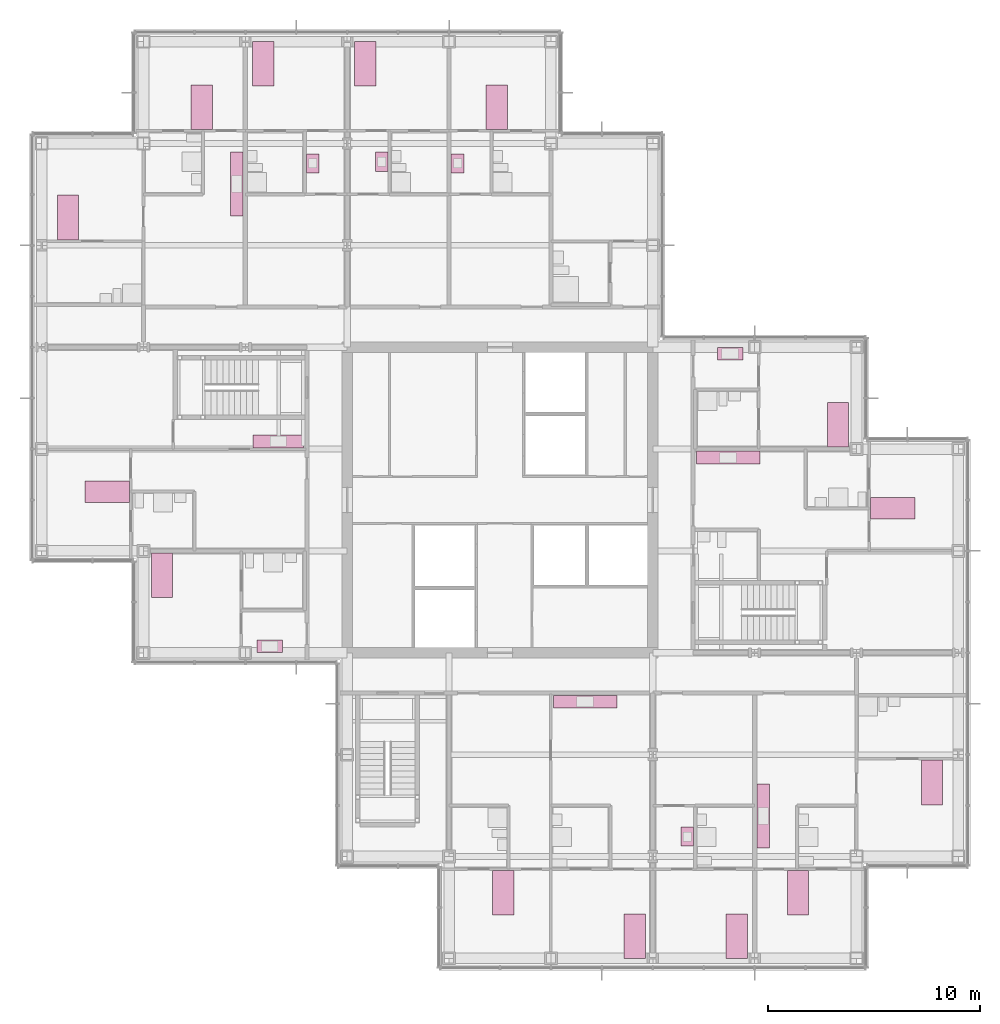
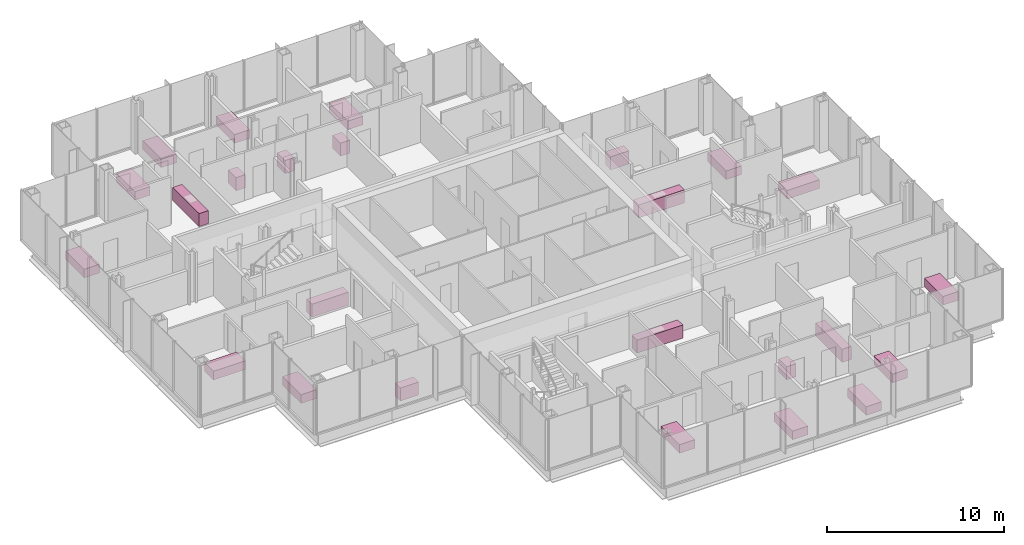
# One storey, part 20 of 20: 25 furniture elements.
"""IFC4 building model written with IfcOpenShell, lengths in metres."""

import ifcopenshell
import ifcopenshell.guid

model = None  # the IFC model being written
_history = None  # IfcOwnerHistory: only IFC2X3 demands one
_inside = {}  # id of a spatial element -> (the spatial element, [elements in it])
_under = {}  # id of a project, library or spatial element -> (it, [spatial elements below it])
_declared = {}  # id of a project -> (the project, [libraries it declares])
_typed = {}  # id of a type object -> (the type object, [elements of that type])
_made_of = {}  # id of a material, layer set ... -> (it, [elements and type objects made of it])


def new_model(schema):
    """Start an empty IFC model of exactly this schema.

    Asked for "IFC4X3", IfcOpenShell would pick the latest addendum, in which some entities
    have other attributes; the version numbers below select the first issue.
    IFC2X3 requires an IfcOwnerHistory on every rooted entity: one is made here for all.
    """
    global model, _history
    if schema == "IFC4X3":
        model = ifcopenshell.file(schema_version=(4, 3, 0, 0))
    else:
        model = ifcopenshell.file(schema=schema)
    _inside.clear()
    _under.clear()
    _declared.clear()
    _typed.clear()
    _made_of.clear()
    _history = None
    if model.schema == "IFC2X3":
        org = make("IfcOrganization", Name="unknown")
        user = make(
            "IfcPersonAndOrganization",
            ThePerson=make("IfcPerson", FamilyName="unknown"),
            TheOrganization=org,
        )
        app = make(
            "IfcApplication",
            ApplicationDeveloper=org,
            Version="unknown",
            ApplicationFullName="unknown",
            ApplicationIdentifier="unknown",
        )
        _history = make(
            "IfcOwnerHistory",
            OwningUser=user,
            OwningApplication=app,
            ChangeAction="ADDED",
            CreationDate=0,
        )
    return model


def make(cls, **values):
    """One entity of the class cls with the attributes given. An attribute that is None is left unset."""
    return model.create_entity(
        cls, **{name: value for name, value in values.items() if value is not None}
    )


def rooted(cls, **values):
    """An entity with a GlobalId (a new one), such as an element, a storey or a relation."""
    return make(cls, GlobalId=ifcopenshell.guid.new(), OwnerHistory=_history, **values)


def si_unit(unit_type, name, prefix=None):
    """IfcSIUnit, for example si_unit("LENGTHUNIT", "METRE", prefix="MILLI")."""
    return make("IfcSIUnit", UnitType=unit_type, Prefix=prefix, Name=name)


def assignment(units):
    """IfcUnitAssignment: the units of a project."""
    return None if units is None else make("IfcUnitAssignment", Units=units)


def point(xyz):
    """IfcCartesianPoint."""
    return None if xyz is None else make("IfcCartesianPoint", Coordinates=xyz)


def direction(xyz):
    """IfcDirection."""
    return None if xyz is None else make("IfcDirection", DirectionRatios=xyz)


def frame(location, z_axis=None, x_axis=None):
    """IfcAxis2Placement3D, a coordinate frame: its origin and axes. An axis left out is left unset."""
    return make(
        "IfcAxis2Placement3D",
        Location=point(location),
        Axis=direction(z_axis),
        RefDirection=direction(x_axis),
    )


def frame_2d(location, x_axis=None):
    """IfcAxis2Placement2D, a coordinate frame in the plane: its origin and x axis."""
    return make(
        "IfcAxis2Placement2D", Location=point(location), RefDirection=direction(x_axis)
    )


def origin():
    """The frame at (0, 0, 0) with its axes left unset."""
    return frame((0.0, 0.0, 0.0))


def origin_2d():
    """The frame at (0, 0) in the plane with its x axis left unset."""
    return frame_2d((0.0, 0.0))


def place(relative_to, where):
    """IfcLocalPlacement: puts the frame where relative to a parent placement (None: the world)."""
    return make(
        "IfcLocalPlacement", PlacementRelTo=relative_to, RelativePlacement=where
    )


def context(
    kind, dimensions, precision=None, world=None, true_north=None, identifier=None
):
    """IfcGeometricRepresentationContext, for example the 3D "Model" context."""
    return make(
        "IfcGeometricRepresentationContext",
        ContextIdentifier=identifier,
        ContextType=kind,
        CoordinateSpaceDimension=dimensions,
        Precision=precision,
        WorldCoordinateSystem=world,
        TrueNorth=true_north,
    )


def subcontext(parent, identifier, kind, view, scale=None):
    """IfcGeometricRepresentationSubContext, for example "Body" below "Model"."""
    return make(
        "IfcGeometricRepresentationSubContext",
        ContextIdentifier=identifier,
        ContextType=kind,
        ParentContext=parent,
        TargetScale=scale,
        TargetView=view,
    )


def project(units=None, contexts=None):
    """IfcProject with its units and contexts."""
    return rooted(
        "IfcProject",
        Name="project",
        RepresentationContexts=contexts,
        UnitsInContext=assignment(units),
    )


def spatial(cls, under=None, at=None, **own):
    """A site, building, storey or space (cls), placed at a placement, below another one or the project."""
    s = rooted(cls, ObjectPlacement=at, **own)
    if under is not None:
        _under.setdefault(under.id(), (under, []))[1].append(s)
    return s


def profile(cls, at=None, kind="AREA", **sizes):
    """A parametric profile (cls). Its sizes go by their IFC names, for example OverallWidth=200.0."""
    return make(cls, ProfileType=kind, Position=at, **sizes)


def rectangle(**sizes):
    """IfcRectangleProfileDef."""
    return profile("IfcRectangleProfileDef", **sizes)


def extrude(swept, where, along, depth):
    """IfcExtrudedAreaSolid: the profile swept, set in the frame where, extruded along a direction by depth."""
    return make(
        "IfcExtrudedAreaSolid",
        SweptArea=swept,
        Position=where,
        ExtrudedDirection=direction(along),
        Depth=depth,
    )


def shape(context_of_items, identifier, shape_type, items):
    """IfcShapeRepresentation: the items that make up one representation, for example the "Body"."""
    return make(
        "IfcShapeRepresentation",
        ContextOfItems=context_of_items,
        RepresentationIdentifier=identifier,
        RepresentationType=shape_type,
        Items=items,
    )


def material(Name=None, Category=None):
    """IfcMaterial."""
    return make("IfcMaterial", Name=Name, Category=Category)


def made_of(thing, what):
    """Note that an element or type object is made of a material, layer set ...; save() writes the relation."""
    if what is not None:
        _made_of.setdefault(what.id(), (what, []))[1].append(thing)
    return thing


def type_object(cls, material=None, **own):
    """A type object (cls), such as IfcWallType, which elements share."""
    return made_of(rooted(cls, **own), material)


def element(
    cls,
    number,
    at=None,
    inside=None,
    cuts=None,
    type_object=None,
    material=None,
    context=None,
    identifier="Body",
    shape_type=None,
    held_by="IfcProductDefinitionShape",
    body=None,
    shapes=None,
    **own,
):
    """One element of the class cls, such as IfcWall. Its Tag is "e" and its number.

    at: its placement. inside: the storey or other place that contains it. cuts: it is an
    opening in that element (IfcRelVoidsElement). A single representation is given by context,
    identifier, shape_type and body (its items); several are given by shapes. held_by: the class
    of the entity that holds the representations. save() writes the other relations.
    """
    e = rooted(cls, Tag="e%d" % number, ObjectPlacement=at, **own)
    if body is not None:
        shapes = [shape(context, identifier, shape_type, body)]
    if shapes is not None:
        e.Representation = make(held_by, Representations=shapes)
    if inside is not None:
        _inside.setdefault(inside.id(), (inside, []))[1].append(e)
    if cuts is not None:
        rooted(
            "IfcRelVoidsElement", RelatingBuildingElement=cuts, RelatedOpeningElement=e
        )
    if type_object is not None:
        _typed.setdefault(type_object.id(), (type_object, []))[1].append(e)
    return made_of(e, material)


def aggregate(whole, parts):
    """IfcRelAggregates: a whole, such as a stair, and the parts it consists of."""
    return rooted("IfcRelAggregates", RelatingObject=whole, RelatedObjects=parts)


def save(model, path):
    """Write the relations noted so far, then the file.

    IfcRelAggregates (storeys below a building ...), IfcRelContainedInSpatialStructure (elements
    in a storey), IfcRelDefinesByType, IfcRelAssociatesMaterial and IfcRelDeclares: one each for
    every whole, place, type object, material and project.
    """
    for whole, parts in _under.values():
        aggregate(whole, parts)
    for where, things in _inside.values():
        rooted(
            "IfcRelContainedInSpatialStructure",
            RelatedElements=things,
            RelatingStructure=where,
        )
    for kind, things in _typed.values():
        rooted("IfcRelDefinesByType", RelatedObjects=things, RelatingType=kind)
    for what, things in _made_of.values():
        rooted("IfcRelAssociatesMaterial", RelatedObjects=things, RelatingMaterial=what)
    for by, libraries in _declared.values():
        rooted("IfcRelDeclares", RelatingContext=by, RelatedDefinitions=libraries)
    model.write(path)


model = new_model("IFC4")

# Units and contexts
model_context = context("Model", 3, precision=1e-05, world=origin(), true_north=direction((0.0, 1.0)))
body_context = subcontext(model_context, "Body", "Model", "MODEL_VIEW")
ifc_project = project(units=[si_unit("LENGTHUNIT", "METRE"), si_unit("AREAUNIT", "SQUARE_METRE"), si_unit("VOLUMEUNIT", "CUBIC_METRE"), si_unit("PLANEANGLEUNIT", "RADIAN"), si_unit("MASSUNIT", "GRAM", prefix="KILO")], contexts=[model_context])

# Site, building, storey
site_placement = place(None, origin())
site = spatial("IfcSite", under=ifc_project, at=site_placement, CompositionType="ELEMENT")
building_placement = place(site_placement, origin())
building = spatial("IfcBuilding", under=site, at=building_placement, Name="Kvirike Care Tower", CompositionType="ELEMENT")
storey_placement = place(building_placement, frame((0.0, 0.0, 115.5)))
storey = spatial("IfcBuildingStorey", under=building, at=storey_placement, Name="L31", CompositionType="ELEMENT", Elevation=115.5)

# Furniture
ifc_material_1 = material(Name="Steel frame", Category="steel")
furniture_type_1 = type_object("IfcFurnitureType", Name="CARE BED 1000 x 2100", AssemblyPlace="FACTORY", PredefinedType="BED", material=ifc_material_1)
for number, where, z_axis, x_axis, name in (
    (1, (3.087890625, 36.389892578125, 0.0), (0.0, 0.0, 1.0), (0.0, -1.0, 0.0), "Care bed L31-004"),
    (2, (5.669921875, 32.447998046875, 0.0), (0.0, 0.0, 1.0), (1.0, 0.0, 0.0), "Care bed L31-008"),
    (3, (10.445068359375, 56.548095703125, 0.0), (0.0, 0.0, 1.0), (1.0, 0.0, 0.0), "Care bed L31-012"),
    (4, (7.550048828125, 54.511962890625, 0.0), (0.0, 0.0, 1.0), (-1.0, 0.0, 0.0), "Care bed L31-016"),
    (5, (1.239990234375, 49.31201171875, 0.0), (0.0, 0.0, 1.0), (-1.0, 0.0, 0.0), "Care bed L31-017"),
    (6, (21.75, 17.488037109375, 0.0), (0.0, 0.0, 1.0), (1.0, 0.0, 0.0), "Care bed L31-024"),
    (7, (27.955078125, 15.451904296875, 0.0), (0.0, 0.0, 1.0), (-1.0, 0.0, 0.0), "Care bed L31-025"),
    (8, (21.449951171875, 54.511962890625, 0.0), (0.0, 0.0, 1.0), (-1.0, 0.0, 0.0), "Care bed L31-034"),
    (9, (15.2451171875, 56.548095703125, 0.0), (0.0, 0.0, 1.0), (1.0, 0.0, 0.0), "Care bed L31-038"),
    (10, (32.7548828125, 15.451904296875, 0.0), (0.0, 0.0, 1.0), (-1.0, 0.0, 0.0), "Care bed L31-043"),
    (11, (35.64990234375, 17.488037109375, 0.0), (0.0, 0.0, 1.0), (1.0, 0.0, 0.0), "Care bed L31-047"),
    (12, (41.9599609375, 22.68798828125, 0.0), (0.0, 0.0, 1.0), (1.0, 0.0, 0.0), "Care bed L31-048"),
    (13, (40.112060546875, 35.610107421875, 0.0), (0.0, 0.0, 1.0), (0.0, 1.0, 0.0), "Care bed L31-055"),
    (14, (37.530029296875, 39.552001953125, 0.0), (0.0, 0.0, 1.0), (-1.0, 0.0, 0.0), "Care bed L31-059"),
):
    element("IfcFurniture", number, at=place(storey_placement, frame(where, z_axis=z_axis, x_axis=x_axis)), inside=storey, type_object=furniture_type_1, Name=name, PredefinedType="BED", context=body_context, shape_type="SweptSolid", body=[
        extrude(rectangle(XDim=1.0, YDim=2.10009765625, at=origin_2d()), origin(), (0.0, 0.0, 1.0), 0.60009765625),
    ])
ifc_material_2 = material(Name="Laminated board", Category="wood")
furniture_type_2 = type_object("IfcFurnitureType", Name="KITCHEN UNIT RUN 600", AssemblyPlace="FACTORY", PredefinedType="USERDEFINED", material=ifc_material_2)
furniture_1_placement = place(storey_placement, frame((11.14990234375, 38.761962890625, 0.0), z_axis=(0.0, 0.0, 1.0), x_axis=(-1.0, 0.0, 0.0)))
element("IfcFurniture", 15, at=furniture_1_placement, inside=storey, type_object=furniture_type_2, Name="Kitchen unit run L31-006", ObjectType="KITCHEN UNIT", PredefinedType="USERDEFINED", context=body_context, shape_type="SweptSolid", body=[
    extrude(rectangle(XDim=2.39990234375, YDim=0.60009765625, at=origin_2d()), origin(), (0.0, 0.0, 1.0), 0.89990234375),
])
furniture_2_placement = place(storey_placement, frame((10.75, 29.10205078125, 0.0), z_axis=(0.0, 0.0, 1.0), x_axis=(-1.0, 0.0, 0.0)))
element("IfcFurniture", 16, at=furniture_2_placement, inside=storey, type_object=furniture_type_2, Name="Kitchen unit run L31-010", ObjectType="KITCHEN UNIT", PredefinedType="USERDEFINED", context=body_context, shape_type="SweptSolid", body=[
    extrude(rectangle(XDim=1.199951171875, YDim=0.60009765625, at=origin_2d()), origin(), (0.0, 0.0, 1.0), 0.89990234375),
])
furniture_3_placement = place(storey_placement, frame((12.777099609375, 51.860107421875, 0.0), z_axis=(0.0, 0.0, 1.0), x_axis=(0.0, 1.0, 0.0)))
element("IfcFurniture", 17, at=furniture_3_placement, inside=storey, type_object=furniture_type_2, Name="Kitchen unit run L31-014", ObjectType="KITCHEN UNIT", PredefinedType="USERDEFINED", context=body_context, shape_type="SweptSolid", body=[
    extrude(rectangle(XDim=0.89990234375, YDim=0.60009765625, at=origin_2d()), origin(), (0.0, 0.0, 1.0), 0.89990234375),
])
for number, where, z_axis, x_axis, name in (
    (18, (9.197998046875, 50.889892578125, 0.0), (0.0, 0.0, 1.0), (0.0, -1.0, 0.0), "Kitchen unit run L31-020"),
    (19, (25.610107421875, 26.498046875, 0.0), (0.0, 0.0, 1.0), (1.0, 0.0, 0.0), "Kitchen unit run L31-029"),
):
    element("IfcFurniture", number, at=place(storey_placement, frame(where, z_axis=z_axis, x_axis=x_axis)), inside=storey, type_object=furniture_type_2, Name=name, ObjectType="KITCHEN UNIT", PredefinedType="USERDEFINED", context=body_context, shape_type="SweptSolid", body=[
        extrude(rectangle(XDim=3.0, YDim=0.60009765625, at=origin_2d()), origin(), (0.0, 0.0, 1.0), 0.89990234375),
    ])
for number, where, z_axis, x_axis, name in (
    (20, (19.60205078125, 51.860107421875, 0.0), (0.0, 0.0, 1.0), (0.0, 1.0, 0.0), "Kitchen unit run L31-036"),
    (21, (16.02294921875, 51.93994140625, 0.0), (0.0, 0.0, 1.0), (0.0, -1.0, 0.0), "Kitchen unit run L31-040"),
    (22, (30.423095703125, 20.139892578125, 0.0), (0.0, 0.0, 1.0), (0.0, -1.0, 0.0), "Kitchen unit run L31-045"),
):
    element("IfcFurniture", number, at=place(storey_placement, frame(where, z_axis=z_axis, x_axis=x_axis)), inside=storey, type_object=furniture_type_2, Name=name, ObjectType="KITCHEN UNIT", PredefinedType="USERDEFINED", context=body_context, shape_type="SweptSolid", body=[
        extrude(rectangle(XDim=0.89990234375, YDim=0.60009765625, at=origin_2d()), origin(), (0.0, 0.0, 1.0), 0.89990234375),
    ])
for number, where, z_axis, x_axis, name in (
    (23, (34.001953125, 21.110107421875, 0.0), (0.0, 0.0, 1.0), (0.0, 1.0, 0.0), "Kitchen unit run L31-051"),
    (24, (32.35009765625, 37.998046875, 0.0), (0.0, 0.0, 1.0), (1.0, 0.0, 0.0), "Kitchen unit run L31-058"),
):
    element("IfcFurniture", number, at=place(storey_placement, frame(where, z_axis=z_axis, x_axis=x_axis)), inside=storey, type_object=furniture_type_2, Name=name, ObjectType="KITCHEN UNIT", PredefinedType="USERDEFINED", context=body_context, shape_type="SweptSolid", body=[
        extrude(rectangle(XDim=3.0, YDim=0.60009765625, at=origin_2d()), origin(), (0.0, 0.0, 1.0), 0.89990234375),
    ])
furniture_4_placement = place(storey_placement, frame((32.449951171875, 42.89794921875, 0.0), z_axis=(0.0, 0.0, 1.0), x_axis=(1.0, 0.0, 0.0)))
element("IfcFurniture", 25, at=furniture_4_placement, inside=storey, type_object=furniture_type_2, Name="Kitchen unit run L31-061", ObjectType="KITCHEN UNIT", PredefinedType="USERDEFINED", context=body_context, shape_type="SweptSolid", body=[
    extrude(rectangle(XDim=1.199951171875, YDim=0.60009765625, at=origin_2d()), origin(), (0.0, 0.0, 1.0), 0.89990234375),
])

save(model, "model.ifc")
